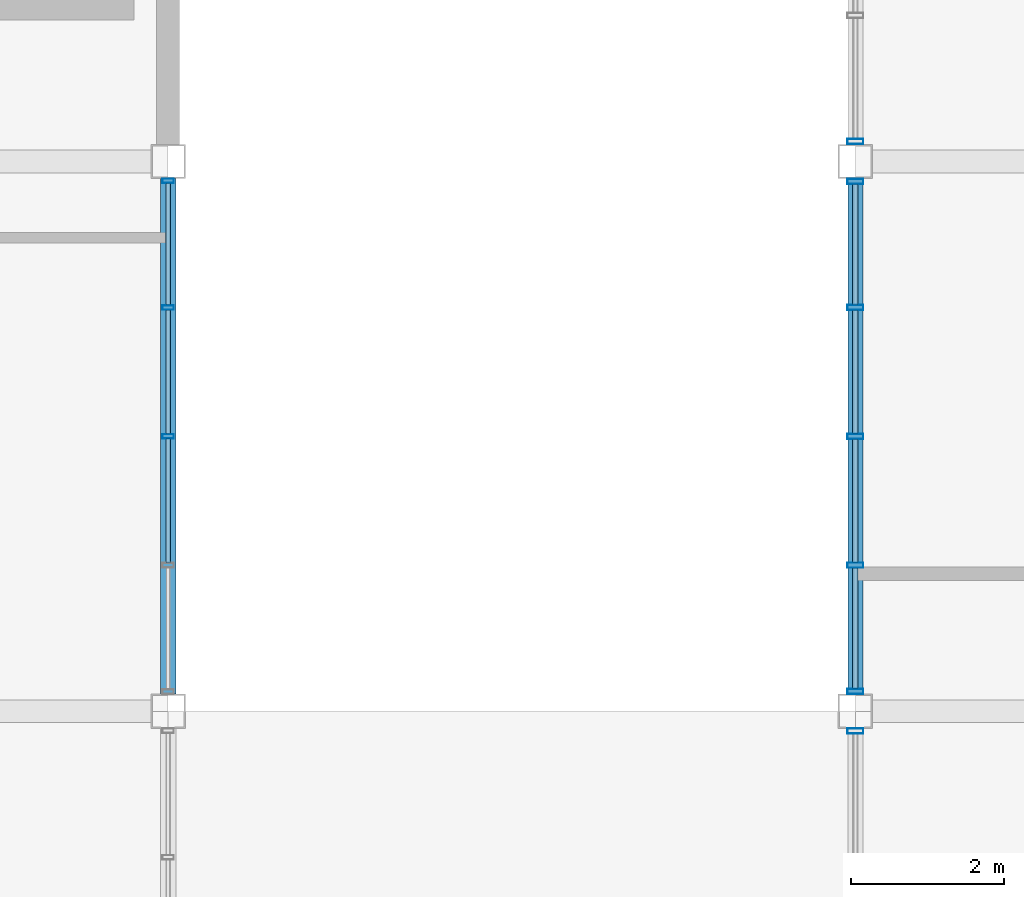
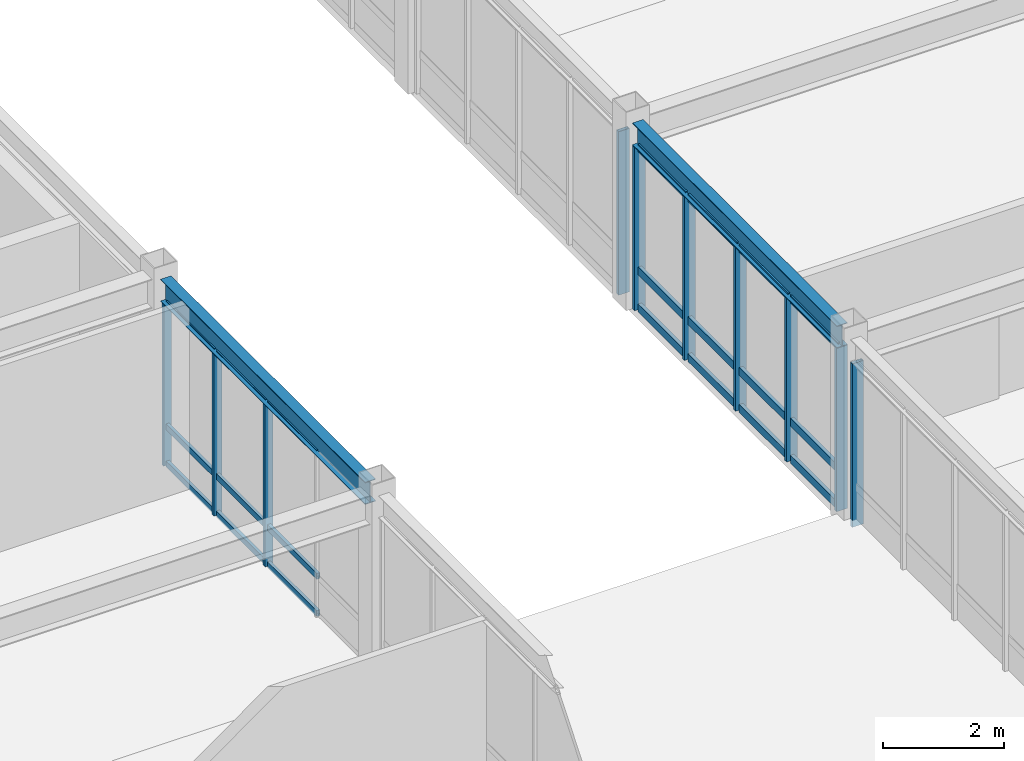
# One storey, part 57 of 113: 31 members, 2 beams, 4 elements without a shape of their own.
"""IFC4 building model written with IfcOpenShell, lengths in metres."""

from ifc_helpers import new_model, si_unit, direction, frame, origin, origin_2d, place, context, subcontext, project, spatial, hollow_rectangle, i_section, extrude, material, material_profile, profile_set, type_object, element, aggregate, save


model = new_model("IFC4")

# Units and contexts
model_context = context("Model", 3, precision=1e-05, world=origin(), true_north=direction((0.0, 1.0)))
body_context = subcontext(model_context, "Body", "Model", "MODEL_VIEW")
ifc_project = project(units=[si_unit("LENGTHUNIT", "METRE"), si_unit("AREAUNIT", "SQUARE_METRE"), si_unit("VOLUMEUNIT", "CUBIC_METRE"), si_unit("PLANEANGLEUNIT", "RADIAN"), si_unit("MASSUNIT", "GRAM", prefix="KILO")], contexts=[model_context])

# Site, building, storey
site_placement = place(None, origin())
site = spatial("IfcSite", under=ifc_project, at=site_placement, CompositionType="ELEMENT")
building_placement = place(site_placement, origin())
building = spatial("IfcBuilding", under=site, at=building_placement, Name="Kazanami Central Library", CompositionType="ELEMENT")
storey_placement = place(building_placement, frame((0.0, 0.0, 8.800048828125)))
storey = spatial("IfcBuildingStorey", under=building, at=storey_placement, Name="L03", CompositionType="ELEMENT", Elevation=8.800048828125)

# Beams
ifc_material_1 = material(Name="Steel SN490B (325 MPa)", Category="steel")
ifc_material_profile_1 = material_profile(ifc_material_1, i_section(OverallWidth=0.199951171875, OverallDepth=0.449951171875, WebThickness=0.009033203125, FlangeThickness=0.013916015625, at=origin_2d()), Name="H-450x200x9x14")
ifc_profile_set_1 = profile_set([ifc_material_profile_1], Name="Steel SN490B (325 MPa)")
beam_type = type_object("IfcBeamType", Name="BM-SP-2", PredefinedType="SPANDREL", material=ifc_profile_set_1)
for number, where, z_axis, x_axis, name in (
    (1, (36.0, 72.222900390625, 3.52001953125), (0.0, 1.0, 0.0), (-1.0, 0.0, 0.0), "Girder SP-2 L03 5/L-M"),
    (2, (45.0, 72.222900390625, 3.52001953125), (0.0, 1.0, 0.0), (-1.0, 0.0, 0.0), "Girder SP-2 L03 6/L-M"),
):
    element("IfcBeam", number, at=place(storey_placement, frame(where, z_axis=z_axis, x_axis=x_axis)), inside=storey, type_object=beam_type, Name=name, PredefinedType="SPANDREL", context=body_context, shape_type="SweptSolid", body=[
        extrude(i_section(OverallWidth=0.199951171875, OverallDepth=0.449951171875, WebThickness=0.009033203125, FlangeThickness=0.013916015625, at=origin_2d()), origin(), (0.0, 0.0, 1.0), 6.754150390625),
    ])

# Curtain wall, member
ifc_material_2 = material(Name="Acid-Etched Low-E Laminated Glass", Category="glass")
curtain_wall_type = type_object("IfcCurtainWallType", Name="CW-6750x3295-M180", PredefinedType="USERDEFINED", material=ifc_material_2)
curtain_wall_1_placement = place(storey_placement, origin())
curtain_wall_1 = element("IfcCurtainWall", 3, at=curtain_wall_1_placement, inside=storey, type_object=curtain_wall_type, Name="Covered Link Bridge Curtain Wall CW-32 L03 W-6-09", ObjectType="UNITISED CURTAIN WALL", PredefinedType="USERDEFINED")
ifc_material_3 = material(Name="Anodised Aluminium A6063-T5", Category="aluminium")
ifc_material_profile_2 = material_profile(ifc_material_3, hollow_rectangle(XDim=0.070068359375, YDim=0.2099609375, WallThickness=0.0048828125, at=origin_2d()), Name="ALU-MULL-70x210x5")
ifc_profile_set_2 = profile_set([ifc_material_profile_2], Name="Anodised Aluminium A6063-T5")
member_type_1 = type_object("IfcMemberType", Name="MEM-CW-M1", PredefinedType="MULLION", material=ifc_profile_set_2)
member_1_placement = place(storey_placement, frame((45.0, 71.739990234375, 0.0), z_axis=(0.0, 0.0, 1.0), x_axis=(0.0, 1.0, 0.0)))
member_1 = element("IfcMember", 4, at=member_1_placement, type_object=member_type_1, Name="CW-32 mullion 5", PredefinedType="MULLION", context=body_context, shape_type="SweptSolid", body=[
    extrude(hollow_rectangle(XDim=0.070068359375, YDim=0.2099609375, WallThickness=0.0048828125, at=origin_2d()), origin(), (0.0, 0.0, 1.0), 3.294921875),
])
aggregate(curtain_wall_1, [member_1])

# Curtain wall, members
curtain_wall_2_placement = place(storey_placement, origin())
curtain_wall_2 = element("IfcCurtainWall", 5, at=curtain_wall_2_placement, inside=storey, type_object=curtain_wall_type, Name="Covered Link Bridge Curtain Wall CW-32 L03 W-6-10", ObjectType="UNITISED CURTAIN WALL", PredefinedType="USERDEFINED")
member_2_placement = place(storey_placement, frame((45.0, 72.260009765625, 0.0), z_axis=(0.0, 0.0, 1.0), x_axis=(0.0, 1.0, 0.0)))
member_2 = element("IfcMember", 6, at=member_2_placement, type_object=member_type_1, Name="CW-32 mullion 1", PredefinedType="MULLION", context=body_context, shape_type="SweptSolid", body=[
    extrude(hollow_rectangle(XDim=0.070068359375, YDim=0.2099609375, WallThickness=0.0048828125, at=origin_2d()), origin(), (0.0, 0.0, 1.0), 3.294921875),
])
member_3_placement = place(storey_placement, frame((45.0, 73.91259765625, 0.0), z_axis=(0.0, 0.0, 1.0), x_axis=(0.0, 1.0, 0.0)))
member_3 = element("IfcMember", 7, at=member_3_placement, type_object=member_type_1, Name="CW-32 mullion 2", PredefinedType="MULLION", context=body_context, shape_type="SweptSolid", body=[
    extrude(hollow_rectangle(XDim=0.070068359375, YDim=0.2099609375, WallThickness=0.0048828125, at=origin_2d()), origin(), (0.0, 0.0, 1.0), 3.294921875),
])
member_4_placement = place(storey_placement, frame((45.0, 75.60009765625, 0.0), z_axis=(0.0, 0.0, 1.0), x_axis=(0.0, 1.0, 0.0)))
member_4 = element("IfcMember", 8, at=member_4_placement, type_object=member_type_1, Name="CW-32 mullion 3", PredefinedType="MULLION", context=body_context, shape_type="SweptSolid", body=[
    extrude(hollow_rectangle(XDim=0.070068359375, YDim=0.2099609375, WallThickness=0.0048828125, at=origin_2d()), origin(), (0.0, 0.0, 1.0), 3.294921875),
])
member_5_placement = place(storey_placement, frame((45.0, 77.28759765625, 0.0), z_axis=(0.0, 0.0, 1.0), x_axis=(0.0, 1.0, 0.0)))
member_5 = element("IfcMember", 9, at=member_5_placement, type_object=member_type_1, Name="CW-32 mullion 4", PredefinedType="MULLION", context=body_context, shape_type="SweptSolid", body=[
    extrude(hollow_rectangle(XDim=0.070068359375, YDim=0.2099609375, WallThickness=0.0048828125, at=origin_2d()), origin(), (0.0, 0.0, 1.0), 3.294921875),
])
member_6_placement = place(storey_placement, frame((45.0, 78.93994140625, 0.0), z_axis=(0.0, 0.0, 1.0), x_axis=(0.0, 1.0, 0.0)))
member_6 = element("IfcMember", 10, at=member_6_placement, type_object=member_type_1, Name="CW-32 mullion 5", PredefinedType="MULLION", context=body_context, shape_type="SweptSolid", body=[
    extrude(hollow_rectangle(XDim=0.070068359375, YDim=0.2099609375, WallThickness=0.0048828125, at=origin_2d()), origin(), (0.0, 0.0, 1.0), 3.294921875),
])

# Curtain wall, member
curtain_wall_3_placement = place(storey_placement, origin())
curtain_wall_3 = element("IfcCurtainWall", 11, at=curtain_wall_3_placement, inside=storey, type_object=curtain_wall_type, Name="Covered Link Bridge Curtain Wall CW-32 L03 W-6-11", ObjectType="UNITISED CURTAIN WALL", PredefinedType="USERDEFINED")
member_7_placement = place(storey_placement, frame((45.0, 79.4599609375, 0.0), z_axis=(0.0, 0.0, 1.0), x_axis=(0.0, 1.0, 0.0)))
member_7 = element("IfcMember", 12, at=member_7_placement, type_object=member_type_1, Name="CW-32 mullion 1", PredefinedType="MULLION", context=body_context, shape_type="SweptSolid", body=[
    extrude(hollow_rectangle(XDim=0.070068359375, YDim=0.2099609375, WallThickness=0.0048828125, at=origin_2d()), origin(), (0.0, 0.0, 1.0), 3.294921875),
])
aggregate(curtain_wall_3, [member_7])

# Curtain wall, members
curtain_wall_4_placement = place(storey_placement, origin())
curtain_wall_4 = element("IfcCurtainWall", 13, at=curtain_wall_4_placement, inside=storey, type_object=curtain_wall_type, Name="Covered Link Bridge Curtain Wall CW-32 L03 E-5-10", ObjectType="UNITISED CURTAIN WALL", PredefinedType="USERDEFINED")
ifc_material_profile_3 = material_profile(ifc_material_3, hollow_rectangle(XDim=0.06005859375, YDim=0.14990234375, WallThickness=0.00390625, at=origin_2d()), Name="ALU-MULL-60x150x4")
ifc_profile_set_3 = profile_set([ifc_material_profile_3], Name="Anodised Aluminium A6063-T5")
member_type_2 = type_object("IfcMemberType", Name="MEM-CW-M3", PredefinedType="MULLION", material=ifc_profile_set_3)
member_8_placement = place(storey_placement, frame((36.0, 78.945068359375, 0.0), z_axis=(0.0, 0.0, 1.0), x_axis=(0.0, -1.0, 0.0)))
member_8 = element("IfcMember", 14, at=member_8_placement, type_object=member_type_2, Name="CW-32 mullion 1", PredefinedType="MULLION", context=body_context, shape_type="SweptSolid", body=[
    extrude(hollow_rectangle(XDim=0.06005859375, YDim=0.14990234375, WallThickness=0.00390625, at=origin_2d()), origin(), (0.0, 0.0, 1.0), 3.294921875),
])
member_9_placement = place(storey_placement, frame((36.0, 77.28759765625, 0.0), z_axis=(0.0, 0.0, 1.0), x_axis=(0.0, -1.0, 0.0)))
member_9 = element("IfcMember", 15, at=member_9_placement, type_object=member_type_2, Name="CW-32 mullion 2", PredefinedType="MULLION", context=body_context, shape_type="SweptSolid", body=[
    extrude(hollow_rectangle(XDim=0.06005859375, YDim=0.14990234375, WallThickness=0.00390625, at=origin_2d()), origin(), (0.0, 0.0, 1.0), 3.294921875),
])
member_10_placement = place(storey_placement, frame((36.0, 75.60009765625, 0.0), z_axis=(0.0, 0.0, 1.0), x_axis=(0.0, -1.0, 0.0)))
member_10 = element("IfcMember", 16, at=member_10_placement, type_object=member_type_2, Name="CW-32 mullion 3", PredefinedType="MULLION", context=body_context, shape_type="SweptSolid", body=[
    extrude(hollow_rectangle(XDim=0.06005859375, YDim=0.14990234375, WallThickness=0.00390625, at=origin_2d()), origin(), (0.0, 0.0, 1.0), 3.294921875),
])

# Member
ifc_material_profile_4 = material_profile(ifc_material_3, hollow_rectangle(XDim=0.070068359375, YDim=0.159912109375, WallThickness=0.00390625, at=origin_2d()), Name="ALU-TRAN-70x160x4")
ifc_profile_set_4 = profile_set([ifc_material_profile_4], Name="Anodised Aluminium A6063-T5")
member_type_3 = type_object("IfcMemberType", Name="MEM-CW-T1", PredefinedType="USERDEFINED", material=ifc_profile_set_4)
member_11_placement = place(storey_placement, frame((45.0, 72.294921875, 0.034912109375), z_axis=(0.0, 1.0, 0.0), x_axis=(-1.0, 0.0, 0.0)))
member_11 = element("IfcMember", 17, at=member_11_placement, type_object=member_type_3, Name="CW-32 transom 1.1", ObjectType="TRANSOM", PredefinedType="USERDEFINED", context=body_context, shape_type="SweptSolid", body=[
    extrude(hollow_rectangle(XDim=0.070068359375, YDim=0.159912109375, WallThickness=0.00390625, at=origin_2d()), origin(), (0.0, 0.0, 1.0), 1.58251953125),
])

member_12_placement = place(storey_placement, frame((45.0, 72.294921875, 0.780029296875), z_axis=(0.0, 1.0, 0.0), x_axis=(-1.0, 0.0, 0.0)))
member_12 = element("IfcMember", 18, at=member_12_placement, type_object=member_type_3, Name="CW-32 transom 1.2", ObjectType="TRANSOM", PredefinedType="USERDEFINED", context=body_context, shape_type="SweptSolid", body=[
    extrude(hollow_rectangle(XDim=0.070068359375, YDim=0.159912109375, WallThickness=0.00390625, at=origin_2d()), origin(), (0.0, 0.0, 1.0), 1.58251953125),
])

member_13_placement = place(storey_placement, frame((45.0, 72.294921875, 3.260009765625), z_axis=(0.0, 1.0, 0.0), x_axis=(-1.0, 0.0, 0.0)))
member_13 = element("IfcMember", 19, at=member_13_placement, type_object=member_type_3, Name="CW-32 transom 1.3", ObjectType="TRANSOM", PredefinedType="USERDEFINED", context=body_context, shape_type="SweptSolid", body=[
    extrude(hollow_rectangle(XDim=0.070068359375, YDim=0.159912109375, WallThickness=0.00390625, at=origin_2d()), origin(), (0.0, 0.0, 1.0), 1.58251953125),
])

member_14_placement = place(storey_placement, frame((45.0, 73.947509765625, 0.034912109375), z_axis=(0.0, 1.0, 0.0), x_axis=(-1.0, 0.0, 0.0)))
member_14 = element("IfcMember", 20, at=member_14_placement, type_object=member_type_3, Name="CW-32 transom 2.1", ObjectType="TRANSOM", PredefinedType="USERDEFINED", context=body_context, shape_type="SweptSolid", body=[
    extrude(hollow_rectangle(XDim=0.070068359375, YDim=0.159912109375, WallThickness=0.00390625, at=origin_2d()), origin(), (0.0, 0.0, 1.0), 1.617431640625),
])

member_15_placement = place(storey_placement, frame((45.0, 73.947509765625, 0.780029296875), z_axis=(0.0, 1.0, 0.0), x_axis=(-1.0, 0.0, 0.0)))
member_15 = element("IfcMember", 21, at=member_15_placement, type_object=member_type_3, Name="CW-32 transom 2.2", ObjectType="TRANSOM", PredefinedType="USERDEFINED", context=body_context, shape_type="SweptSolid", body=[
    extrude(hollow_rectangle(XDim=0.070068359375, YDim=0.159912109375, WallThickness=0.00390625, at=origin_2d()), origin(), (0.0, 0.0, 1.0), 1.617431640625),
])

member_16_placement = place(storey_placement, frame((45.0, 73.947509765625, 3.260009765625), z_axis=(0.0, 1.0, 0.0), x_axis=(-1.0, 0.0, 0.0)))
member_16 = element("IfcMember", 22, at=member_16_placement, type_object=member_type_3, Name="CW-32 transom 2.3", ObjectType="TRANSOM", PredefinedType="USERDEFINED", context=body_context, shape_type="SweptSolid", body=[
    extrude(hollow_rectangle(XDim=0.070068359375, YDim=0.159912109375, WallThickness=0.00390625, at=origin_2d()), origin(), (0.0, 0.0, 1.0), 1.617431640625),
])

member_17_placement = place(storey_placement, frame((45.0, 75.635009765625, 0.034912109375), z_axis=(0.0, 1.0, 0.0), x_axis=(-1.0, 0.0, 0.0)))
member_17 = element("IfcMember", 23, at=member_17_placement, type_object=member_type_3, Name="CW-32 transom 3.1", ObjectType="TRANSOM", PredefinedType="USERDEFINED", context=body_context, shape_type="SweptSolid", body=[
    extrude(hollow_rectangle(XDim=0.070068359375, YDim=0.159912109375, WallThickness=0.00390625, at=origin_2d()), origin(), (0.0, 0.0, 1.0), 1.617431640625),
])

member_18_placement = place(storey_placement, frame((45.0, 75.635009765625, 0.780029296875), z_axis=(0.0, 1.0, 0.0), x_axis=(-1.0, 0.0, 0.0)))
member_18 = element("IfcMember", 24, at=member_18_placement, type_object=member_type_3, Name="CW-32 transom 3.2", ObjectType="TRANSOM", PredefinedType="USERDEFINED", context=body_context, shape_type="SweptSolid", body=[
    extrude(hollow_rectangle(XDim=0.070068359375, YDim=0.159912109375, WallThickness=0.00390625, at=origin_2d()), origin(), (0.0, 0.0, 1.0), 1.617431640625),
])

member_19_placement = place(storey_placement, frame((45.0, 75.635009765625, 3.260009765625), z_axis=(0.0, 1.0, 0.0), x_axis=(-1.0, 0.0, 0.0)))
member_19 = element("IfcMember", 25, at=member_19_placement, type_object=member_type_3, Name="CW-32 transom 3.3", ObjectType="TRANSOM", PredefinedType="USERDEFINED", context=body_context, shape_type="SweptSolid", body=[
    extrude(hollow_rectangle(XDim=0.070068359375, YDim=0.159912109375, WallThickness=0.00390625, at=origin_2d()), origin(), (0.0, 0.0, 1.0), 1.617431640625),
])

member_20_placement = place(storey_placement, frame((45.0, 77.322509765625, 0.034912109375), z_axis=(0.0, 1.0, 0.0), x_axis=(-1.0, 0.0, 0.0)))
member_20 = element("IfcMember", 26, at=member_20_placement, type_object=member_type_3, Name="CW-32 transom 4.1", ObjectType="TRANSOM", PredefinedType="USERDEFINED", context=body_context, shape_type="SweptSolid", body=[
    extrude(hollow_rectangle(XDim=0.070068359375, YDim=0.159912109375, WallThickness=0.00390625, at=origin_2d()), origin(), (0.0, 0.0, 1.0), 1.58251953125),
])

member_21_placement = place(storey_placement, frame((45.0, 77.322509765625, 0.780029296875), z_axis=(0.0, 1.0, 0.0), x_axis=(-1.0, 0.0, 0.0)))
member_21 = element("IfcMember", 27, at=member_21_placement, type_object=member_type_3, Name="CW-32 transom 4.2", ObjectType="TRANSOM", PredefinedType="USERDEFINED", context=body_context, shape_type="SweptSolid", body=[
    extrude(hollow_rectangle(XDim=0.070068359375, YDim=0.159912109375, WallThickness=0.00390625, at=origin_2d()), origin(), (0.0, 0.0, 1.0), 1.58251953125),
])

member_22_placement = place(storey_placement, frame((45.0, 77.322509765625, 3.260009765625), z_axis=(0.0, 1.0, 0.0), x_axis=(-1.0, 0.0, 0.0)))
member_22 = element("IfcMember", 28, at=member_22_placement, type_object=member_type_3, Name="CW-32 transom 4.3", ObjectType="TRANSOM", PredefinedType="USERDEFINED", context=body_context, shape_type="SweptSolid", body=[
    extrude(hollow_rectangle(XDim=0.070068359375, YDim=0.159912109375, WallThickness=0.00390625, at=origin_2d()), origin(), (0.0, 0.0, 1.0), 1.58251953125),
])

aggregate(curtain_wall_2, [member_2, member_3, member_4, member_5, member_6, member_11, member_12, member_13, member_14, member_15, member_16, member_17, member_18, member_19, member_20, member_21, member_22])

ifc_material_profile_5 = material_profile(ifc_material_3, hollow_rectangle(XDim=0.06005859375, YDim=0.1201171875, WallThickness=0.00341796875, at=origin_2d()), Name="ALU-TRAN-60x120x3.5")
ifc_profile_set_5 = profile_set([ifc_material_profile_5], Name="Anodised Aluminium A6063-T5")
member_type_4 = type_object("IfcMemberType", Name="MEM-CW-T3", PredefinedType="USERDEFINED", material=ifc_profile_set_5)
member_23_placement = place(storey_placement, frame((36.0, 78.9150390625, 0.030029296875), z_axis=(0.0, -1.0, 0.0), x_axis=(1.0, 0.0, 0.0)))
member_23 = element("IfcMember", 29, at=member_23_placement, type_object=member_type_4, Name="CW-32 transom 1.1", ObjectType="TRANSOM", PredefinedType="USERDEFINED", context=body_context, shape_type="SweptSolid", body=[
    extrude(hollow_rectangle(XDim=0.06005859375, YDim=0.1201171875, WallThickness=0.00341796875, at=origin_2d()), origin(), (0.0, 0.0, 1.0), 1.59765625),
])

member_24_placement = place(storey_placement, frame((36.0, 78.9150390625, 0.780029296875), z_axis=(0.0, -1.0, 0.0), x_axis=(1.0, 0.0, 0.0)))
member_24 = element("IfcMember", 30, at=member_24_placement, type_object=member_type_4, Name="CW-32 transom 1.2", ObjectType="TRANSOM", PredefinedType="USERDEFINED", context=body_context, shape_type="SweptSolid", body=[
    extrude(hollow_rectangle(XDim=0.06005859375, YDim=0.1201171875, WallThickness=0.00341796875, at=origin_2d()), origin(), (0.0, 0.0, 1.0), 1.59765625),
])

member_25_placement = place(storey_placement, frame((36.0, 78.9150390625, 3.264892578125), z_axis=(0.0, -1.0, 0.0), x_axis=(1.0, 0.0, 0.0)))
member_25 = element("IfcMember", 31, at=member_25_placement, type_object=member_type_4, Name="CW-32 transom 1.3", ObjectType="TRANSOM", PredefinedType="USERDEFINED", context=body_context, shape_type="SweptSolid", body=[
    extrude(hollow_rectangle(XDim=0.06005859375, YDim=0.1201171875, WallThickness=0.00341796875, at=origin_2d()), origin(), (0.0, 0.0, 1.0), 1.59765625),
])

member_26_placement = place(storey_placement, frame((36.0, 77.257568359375, 0.030029296875), z_axis=(0.0, -1.0, 0.0), x_axis=(1.0, 0.0, 0.0)))
member_26 = element("IfcMember", 32, at=member_26_placement, type_object=member_type_4, Name="CW-32 transom 2.1", ObjectType="TRANSOM", PredefinedType="USERDEFINED", context=body_context, shape_type="SweptSolid", body=[
    extrude(hollow_rectangle(XDim=0.06005859375, YDim=0.1201171875, WallThickness=0.00341796875, at=origin_2d()), origin(), (0.0, 0.0, 1.0), 1.627685546875),
])

member_27_placement = place(storey_placement, frame((36.0, 77.257568359375, 0.780029296875), z_axis=(0.0, -1.0, 0.0), x_axis=(1.0, 0.0, 0.0)))
member_27 = element("IfcMember", 33, at=member_27_placement, type_object=member_type_4, Name="CW-32 transom 2.2", ObjectType="TRANSOM", PredefinedType="USERDEFINED", context=body_context, shape_type="SweptSolid", body=[
    extrude(hollow_rectangle(XDim=0.06005859375, YDim=0.1201171875, WallThickness=0.00341796875, at=origin_2d()), origin(), (0.0, 0.0, 1.0), 1.627685546875),
])

member_28_placement = place(storey_placement, frame((36.0, 77.257568359375, 3.264892578125), z_axis=(0.0, -1.0, 0.0), x_axis=(1.0, 0.0, 0.0)))
member_28 = element("IfcMember", 34, at=member_28_placement, type_object=member_type_4, Name="CW-32 transom 2.3", ObjectType="TRANSOM", PredefinedType="USERDEFINED", context=body_context, shape_type="SweptSolid", body=[
    extrude(hollow_rectangle(XDim=0.06005859375, YDim=0.1201171875, WallThickness=0.00341796875, at=origin_2d()), origin(), (0.0, 0.0, 1.0), 1.627685546875),
])

member_29_placement = place(storey_placement, frame((36.0, 75.570068359375, 0.030029296875), z_axis=(0.0, -1.0, 0.0), x_axis=(1.0, 0.0, 0.0)))
member_29 = element("IfcMember", 35, at=member_29_placement, type_object=member_type_4, Name="CW-32 transom 3.1", ObjectType="TRANSOM", PredefinedType="USERDEFINED", context=body_context, shape_type="SweptSolid", body=[
    extrude(hollow_rectangle(XDim=0.06005859375, YDim=0.1201171875, WallThickness=0.00341796875, at=origin_2d()), origin(), (0.0, 0.0, 1.0), 1.627685546875),
])

member_30_placement = place(storey_placement, frame((36.0, 75.570068359375, 0.780029296875), z_axis=(0.0, -1.0, 0.0), x_axis=(1.0, 0.0, 0.0)))
member_30 = element("IfcMember", 36, at=member_30_placement, type_object=member_type_4, Name="CW-32 transom 3.2", ObjectType="TRANSOM", PredefinedType="USERDEFINED", context=body_context, shape_type="SweptSolid", body=[
    extrude(hollow_rectangle(XDim=0.06005859375, YDim=0.1201171875, WallThickness=0.00341796875, at=origin_2d()), origin(), (0.0, 0.0, 1.0), 1.627685546875),
])

member_31_placement = place(storey_placement, frame((36.0, 75.570068359375, 3.264892578125), z_axis=(0.0, -1.0, 0.0), x_axis=(1.0, 0.0, 0.0)))
member_31 = element("IfcMember", 37, at=member_31_placement, type_object=member_type_4, Name="CW-32 transom 3.3", ObjectType="TRANSOM", PredefinedType="USERDEFINED", context=body_context, shape_type="SweptSolid", body=[
    extrude(hollow_rectangle(XDim=0.06005859375, YDim=0.1201171875, WallThickness=0.00341796875, at=origin_2d()), origin(), (0.0, 0.0, 1.0), 1.627685546875),
])

aggregate(curtain_wall_4, [member_8, member_9, member_10, member_23, member_24, member_25, member_26, member_27, member_28, member_29, member_30, member_31])

save(model, "model.ifc")
